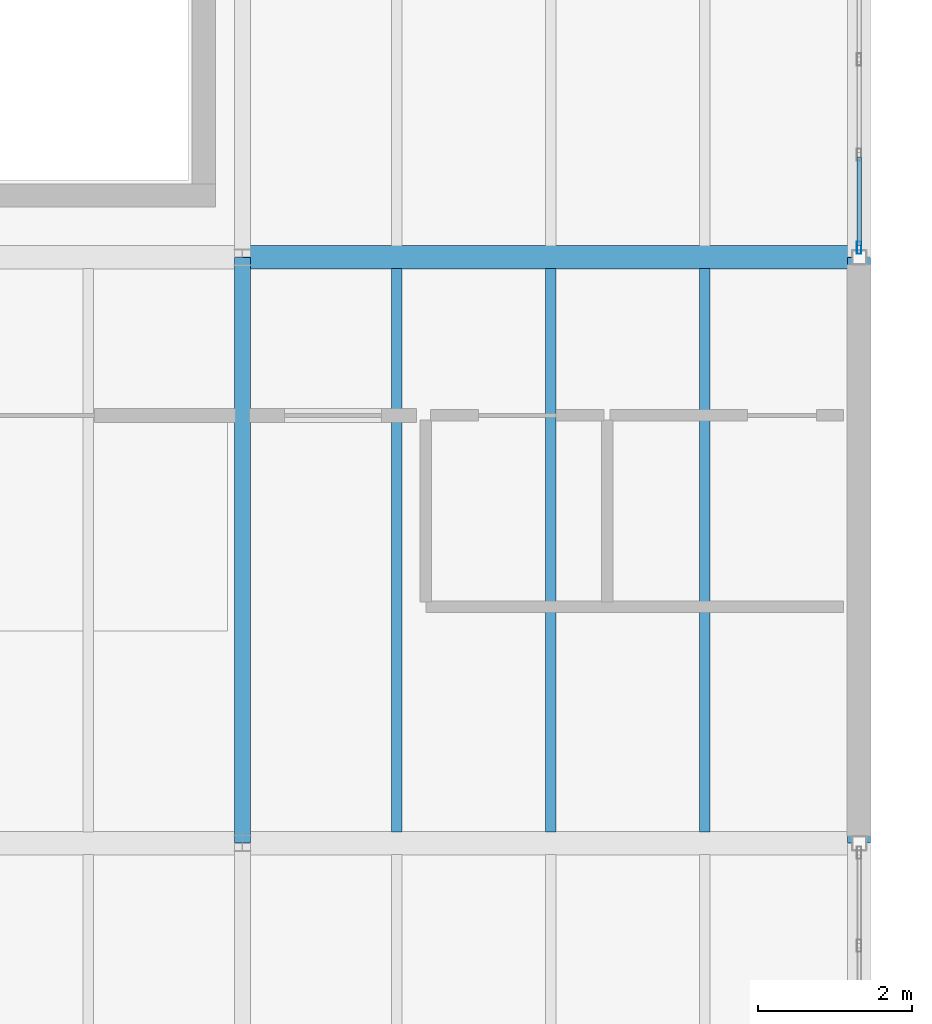
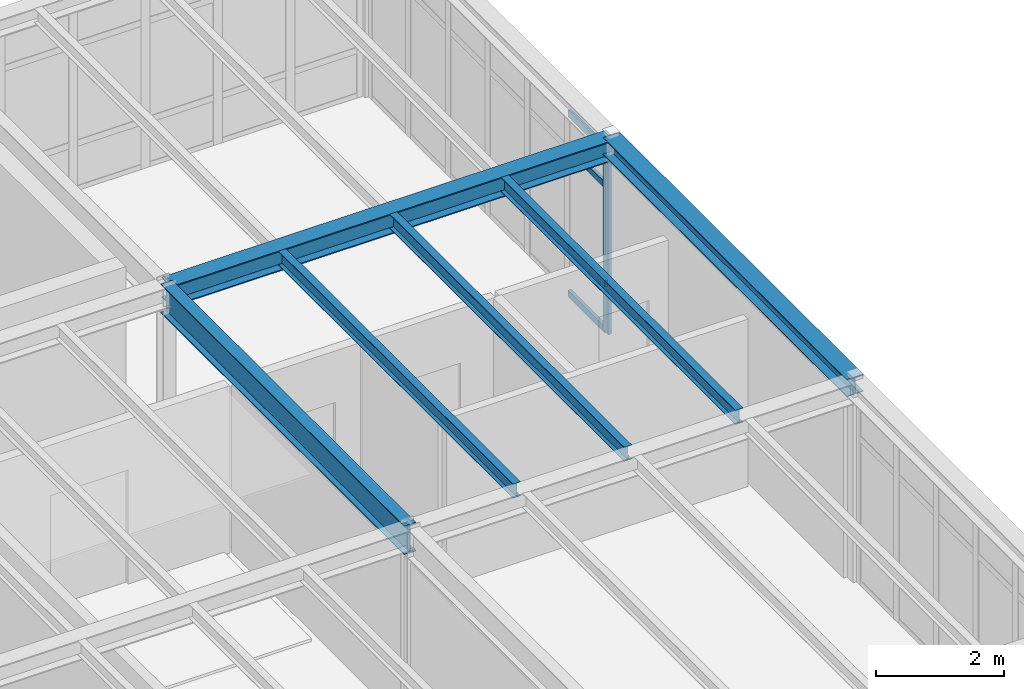
# One storey, part 34 of 65: 6 beams, 5 members, 1 element without a shape of its own.
"""IFC4 building model written with IfcOpenShell, lengths in metres."""

from ifc_helpers import new_model, si_unit, direction, frame, origin, origin_2d, place, context, subcontext, project, spatial, hollow_rectangle, i_section, extrude, material, layer, layer_set, material_profile, profile_set, type_object, element, aggregate, save


model = new_model("IFC4")

# Units and contexts
model_context = context("Model", 3, precision=1e-05, world=origin(), true_north=direction((0.0, 1.0)))
body_context = subcontext(model_context, "Body", "Model", "MODEL_VIEW")
ifc_project = project(units=[si_unit("LENGTHUNIT", "METRE"), si_unit("AREAUNIT", "SQUARE_METRE"), si_unit("VOLUMEUNIT", "CUBIC_METRE"), si_unit("PLANEANGLEUNIT", "RADIAN"), si_unit("MASSUNIT", "GRAM", prefix="KILO")], contexts=[model_context])

# Site, building, storey
site_placement = place(None, origin())
site = spatial("IfcSite", under=ifc_project, at=site_placement, CompositionType="ELEMENT")
building_placement = place(site_placement, origin())
building = spatial("IfcBuilding", under=site, at=building_placement, Name="Montecoro Central Library", CompositionType="ELEMENT")
storey_placement = place(building_placement, frame((0.0, 0.0, 17.340087890625)))
storey = spatial("IfcBuildingStorey", under=building, at=storey_placement, Name="L04", CompositionType="ELEMENT", Elevation=17.340087890625)

# Beams
ifc_material_1 = material(Name="Steel S355", Category="steel")
ifc_material_profile_1 = material_profile(ifc_material_1, i_section(OverallWidth=0.300048828125, OverallDepth=0.389892578125, WebThickness=0.010986328125, FlangeThickness=0.01904296875, at=origin_2d()), Name="HEA 400")
ifc_profile_set_1 = profile_set([ifc_material_profile_1], Name="Steel S355")
beam_type_1 = type_object("IfcBeamType", Name="BM-G-HEA400", PredefinedType="USERDEFINED", material=ifc_profile_set_1)
beam_1_placement = place(storey_placement, frame((165.0048828125, 35.39990234375, 3.6298828125), z_axis=(1.0, 0.0, 0.0), x_axis=(0.0, 1.0, 0.0)))
element("IfcBeam", 1, at=beam_1_placement, inside=storey, type_object=beam_type_1, Name="V6-L04-BX-2122-E", ObjectType="GIRDER", PredefinedType="USERDEFINED", context=body_context, shape_type="SweptSolid", body=[
    extrude(i_section(OverallWidth=0.300048828125, OverallDepth=0.389892578125, WebThickness=0.010986328125, FlangeThickness=0.01904296875, at=origin_2d()), origin(), (0.0, 0.0, 1.0), 7.990234375),
])
ifc_material_2 = material(Name="Steel S355J2", Category="steel")
ifc_material_profile_2 = material_profile(ifc_material_2, i_section(OverallWidth=0.2099609375, OverallDepth=0.550048828125, WebThickness=0.010986328125, FlangeThickness=0.01708984375, at=origin_2d()), Name="IPE 550")
ifc_profile_set_2 = profile_set([ifc_material_profile_2], Name="Steel S355J2")
beam_type_2 = type_object("IfcBeamType", Name="BM-G-IPE550", PredefinedType="USERDEFINED", material=ifc_profile_set_2)
beam_2_placement = place(storey_placement, frame((165.0, 27.804931640625, 3.5498046875), z_axis=(0.0, 1.0, 0.0), x_axis=(-1.0, 0.0, 0.0)))
element("IfcBeam", 2, at=beam_2_placement, inside=storey, type_object=beam_type_2, Name="V6-L04-BY-21-DE", ObjectType="GIRDER", PredefinedType="USERDEFINED", context=body_context, shape_type="SweptSolid", body=[
    extrude(i_section(OverallWidth=0.2099609375, OverallDepth=0.550048828125, WebThickness=0.010986328125, FlangeThickness=0.01708984375, at=origin_2d()), origin(), (0.0, 0.0, 1.0), 7.590087890625),
])
ifc_material_profile_3 = material_profile(ifc_material_1, i_section(OverallWidth=0.135009765625, OverallDepth=0.27001953125, WebThickness=0.006591796875, FlangeThickness=0.01025390625, at=origin_2d()), Name="IPE 270")
ifc_profile_set_3 = profile_set([ifc_material_profile_3], Name="Steel S355")
beam_type_3 = type_object("IfcBeamType", Name="BM-J-IPE270", PredefinedType="JOIST", material=ifc_profile_set_3)
for number, where, z_axis, x_axis, name in (
    (3, (167.0, 27.947021484375, 3.68994140625), (0.0, 1.0, 0.0), (-1.0, 0.0, 0.0), "V6-L04-JS-2122-DE-1"),
    (4, (169.0, 27.947021484375, 3.68994140625), (0.0, 1.0, 0.0), (-1.0, 0.0, 0.0), "V6-L04-JS-2122-DE-2"),
    (5, (171.0, 27.947021484375, 3.68994140625), (0.0, 1.0, 0.0), (-1.0, 0.0, 0.0), "V6-L04-JS-2122-DE-3"),
):
    element("IfcBeam", number, at=place(storey_placement, frame(where, z_axis=z_axis, x_axis=x_axis)), inside=storey, type_object=beam_type_3, Name=name, PredefinedType="JOIST", context=body_context, shape_type="SweptSolid", body=[
        extrude(i_section(OverallWidth=0.135009765625, OverallDepth=0.27001953125, WebThickness=0.006591796875, FlangeThickness=0.01025390625, at=origin_2d()), origin(), (0.0, 0.0, 1.0), 7.305908203125),
    ])
ifc_material_profile_4 = material_profile(ifc_material_1, i_section(OverallWidth=0.300048828125, OverallDepth=0.330078125, WebThickness=0.009521484375, FlangeThickness=0.0166015625, at=origin_2d()), Name="HEA 340")
ifc_profile_set_4 = profile_set([ifc_material_profile_4], Name="Steel S355")
beam_type_4 = type_object("IfcBeamType", Name="BM-SP-HEA340", PredefinedType="SPANDREL", material=ifc_profile_set_4)
beam_3_placement = place(storey_placement, frame((173.0, 27.804931640625, 3.659912109375), z_axis=(0.0, 1.0, 0.0), x_axis=(-1.0, 0.0, 0.0)))
element("IfcBeam", 6, at=beam_3_placement, inside=storey, type_object=beam_type_4, Name="V6-L04-BY-22-DE", PredefinedType="SPANDREL", context=body_context, shape_type="SweptSolid", body=[
    extrude(i_section(OverallWidth=0.300048828125, OverallDepth=0.330078125, WebThickness=0.009521484375, FlangeThickness=0.0166015625, at=origin_2d()), origin(), (0.0, 0.0, 1.0), 7.590087890625),
])

# Curtain wall, members
ifc_material_3 = material(Name="Bronze-anodised aluminium and low-E glazing", Category="aluminium")
ifc_layer = layer(ifc_material_3, 0.159912109375)
ifc_layer_set = layer_set([ifc_layer], Name="Bronze-anodised aluminium and low-E glazing")
curtain_wall_type = type_object("IfcCurtainWallType", Name="CWT-073", PredefinedType="NOTDEFINED", material=ifc_layer_set)
curtain_wall_placement = place(storey_placement, origin())
curtain_wall = element("IfcCurtainWall", 7, at=curtain_wall_placement, inside=storey, type_object=curtain_wall_type, Name="V6-L04-CW-E4", PredefinedType="NOTDEFINED")
ifc_material_4 = material(Name="Bronze-anodised aluminium", Category="aluminium")
ifc_material_profile_5 = material_profile(ifc_material_4, hollow_rectangle(XDim=0.06005859375, YDim=0.159912109375, WallThickness=0.00390625, at=origin_2d()), Name="CWM 160x60x4.0")
ifc_profile_set_5 = profile_set([ifc_material_profile_5], Name="Bronze-anodised aluminium")
member_type_1 = type_object("IfcMemberType", Name="CWM-BRZ-60", PredefinedType="MULLION", material=ifc_profile_set_5)
member_1_placement = place(storey_placement, frame((173.0, 35.52294921875, 0.0), z_axis=(0.0, 0.0, 1.0), x_axis=(-1.0, 0.0, 0.0)))
member_1 = element("IfcMember", 8, at=member_1_placement, type_object=member_type_1, Name="CW-073 mullion 1", PredefinedType="MULLION", context=body_context, shape_type="SweptSolid", body=[
    extrude(hollow_rectangle(XDim=0.06005859375, YDim=0.159912109375, WallThickness=0.00390625, at=origin_2d()), origin(), (0.0, 0.0, 1.0), 3.47998046875),
])
ifc_material_profile_6 = material_profile(ifc_material_4, hollow_rectangle(XDim=0.06005859375, YDim=0.1201171875, WallThickness=0.00390625, at=origin_2d()), Name="CWT 120x60x4.0")
ifc_profile_set_6 = profile_set([ifc_material_profile_6], Name="Bronze-anodised aluminium")
member_type_2 = type_object("IfcMemberType", Name="CWT-BRZ-60", PredefinedType="USERDEFINED", material=ifc_profile_set_6)
member_2_placement = place(storey_placement, frame((173.0, 35.552978515625, 0.030029296875), z_axis=(0.0, 1.0, 0.0), x_axis=(-1.0, 0.0, 0.0)))
member_2 = element("IfcMember", 9, at=member_2_placement, type_object=member_type_2, Name="CW-073 transom 1.1", ObjectType="TRANSOM", PredefinedType="USERDEFINED", context=body_context, shape_type="SweptSolid", body=[
    extrude(hollow_rectangle(XDim=0.06005859375, YDim=0.1201171875, WallThickness=0.00390625, at=origin_2d()), origin(), (0.0, 0.0, 1.0), 1.145751953125),
])
member_3_placement = place(storey_placement, frame((173.0, 35.552978515625, 0.89990234375), z_axis=(0.0, 1.0, 0.0), x_axis=(-1.0, 0.0, 0.0)))
member_3 = element("IfcMember", 10, at=member_3_placement, type_object=member_type_2, Name="CW-073 transom 1.2", ObjectType="TRANSOM", PredefinedType="USERDEFINED", context=body_context, shape_type="SweptSolid", body=[
    extrude(hollow_rectangle(XDim=0.06005859375, YDim=0.1201171875, WallThickness=0.00390625, at=origin_2d()), origin(), (0.0, 0.0, 1.0), 1.145751953125),
])
member_4_placement = place(storey_placement, frame((173.0, 35.552978515625, 2.780029296875), z_axis=(0.0, 1.0, 0.0), x_axis=(-1.0, 0.0, 0.0)))
member_4 = element("IfcMember", 11, at=member_4_placement, type_object=member_type_2, Name="CW-073 transom 1.3", ObjectType="TRANSOM", PredefinedType="USERDEFINED", context=body_context, shape_type="SweptSolid", body=[
    extrude(hollow_rectangle(XDim=0.06005859375, YDim=0.1201171875, WallThickness=0.00390625, at=origin_2d()), origin(), (0.0, 0.0, 1.0), 1.145751953125),
])
member_5_placement = place(storey_placement, frame((173.0, 35.552978515625, 3.449951171875), z_axis=(0.0, 1.0, 0.0), x_axis=(-1.0, 0.0, 0.0)))
member_5 = element("IfcMember", 12, at=member_5_placement, type_object=member_type_2, Name="CW-073 transom 1.4", ObjectType="TRANSOM", PredefinedType="USERDEFINED", context=body_context, shape_type="SweptSolid", body=[
    extrude(hollow_rectangle(XDim=0.06005859375, YDim=0.1201171875, WallThickness=0.00390625, at=origin_2d()), origin(), (0.0, 0.0, 1.0), 1.145751953125),
])
aggregate(curtain_wall, [member_1, member_2, member_3, member_4, member_5])

save(model, "model.ifc")
